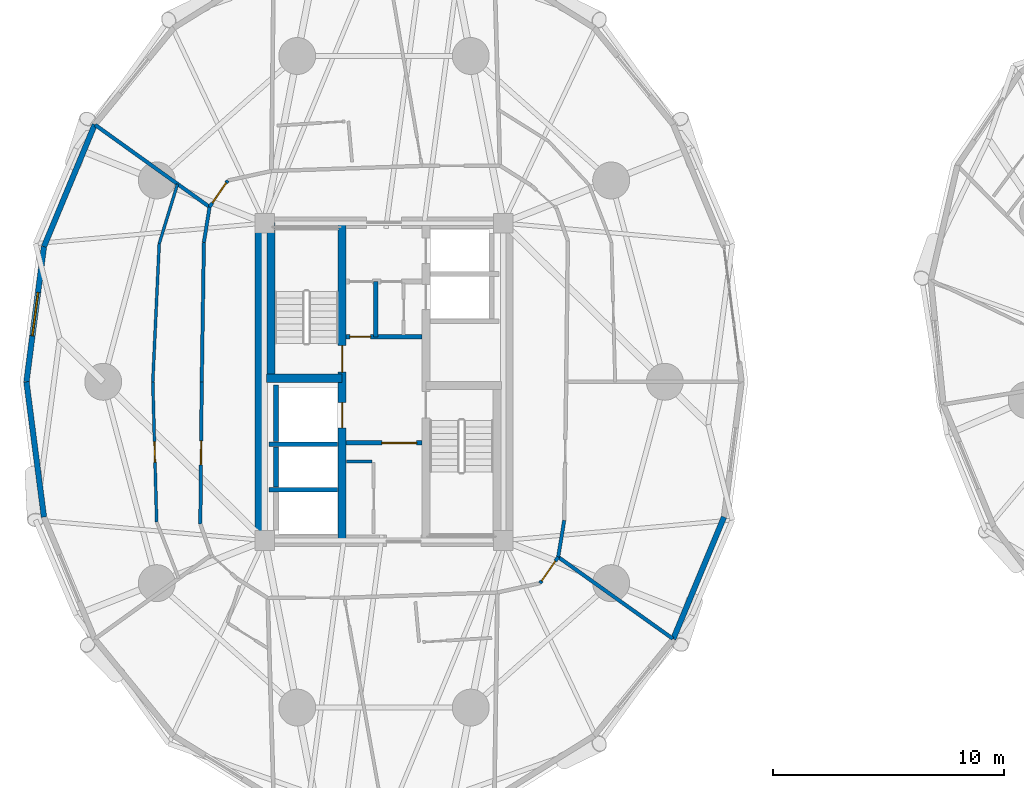
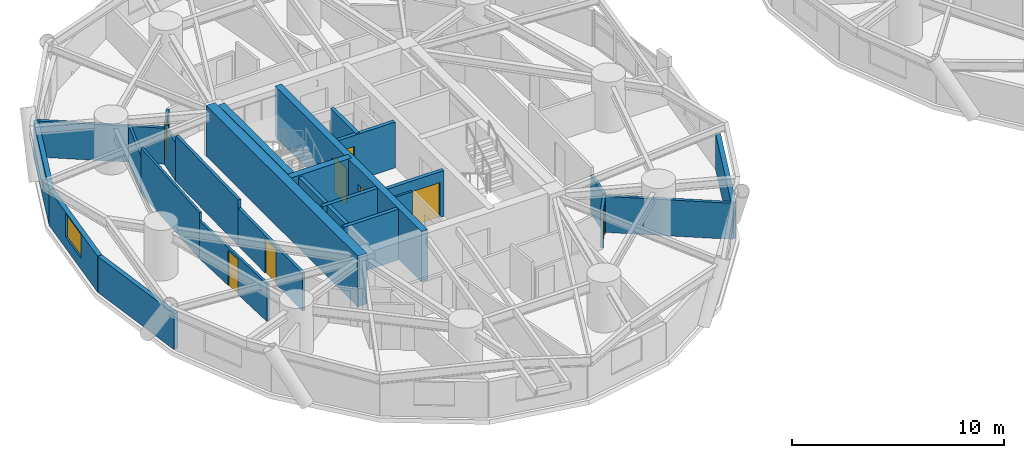
# One storey, part 10 of 18: 27 walls, 8 doors, 1 window, 9 openings.
"""IFC4 building model written with IfcOpenShell, lengths in metres."""

from ifc_helpers import new_model, si_unit, direction, frame, frame_2d, origin, place, context, subcontext, project, spatial, rectangle, extrude, source, transform, mapped, material, layer, layer_set, type_object, element, fill, save


model = new_model("IFC4")

# Units and contexts
model_context = context("Model", 3, precision=1e-05, world=origin(), true_north=direction((0.0, 1.0)))
body_context = subcontext(model_context, "Body", "Model", "MODEL_VIEW")
ifc_project = project(units=[si_unit("LENGTHUNIT", "METRE"), si_unit("AREAUNIT", "SQUARE_METRE"), si_unit("VOLUMEUNIT", "CUBIC_METRE"), si_unit("PLANEANGLEUNIT", "RADIAN"), si_unit("MASSUNIT", "GRAM", prefix="KILO")], contexts=[model_context])

# Site, building, storey
site_placement = place(None, origin())
site = spatial("IfcSite", under=ifc_project, at=site_placement, CompositionType="ELEMENT")
building_placement = place(site_placement, origin())
building = spatial("IfcBuilding", under=site, at=building_placement, Name="Cununo Teusaquillo Station Towers", CompositionType="ELEMENT")
storey_placement = place(building_placement, frame((0.0, 0.0, 45.280029296875)))
storey = spatial("IfcBuildingStorey", under=building, at=storey_placement, Name="L13", CompositionType="ELEMENT", Elevation=45.280029296875)

# Walls
ifc_material_1 = material(Name="Concrete C50/60", Category="concrete")
ifc_layer_1 = layer(ifc_material_1, 0.199951171875)
ifc_layer_set_1 = layer_set([ifc_layer_1], Name="Concrete C50/60")
wall_type_1 = type_object("IfcWallType", Name="WL-CORE-200", PredefinedType="SHEAR", material=ifc_layer_set_1)
wall_1_placement = place(storey_placement, frame((11.52001953125, 21.800048828125, 0.0), z_axis=(0.0, 0.0, 1.0), x_axis=(1.0, 0.0, 0.0)))
element("IfcWall", 1, at=wall_1_placement, inside=storey, type_object=wall_type_1, Name="L13 Tower A Firefighting Lift Shaft South Shear Wall", PredefinedType="SHEAR", context=body_context, shape_type="SweptSolid", body=[
    extrude(rectangle(XDim=2.969970703125, YDim=0.199951171875, at=frame_2d((1.48486328125, 0.0))), origin(), (0.0, 0.0, 1.0), 2.909912109375),
])
wall_2_placement = place(storey_placement, frame((11.820068359375, 21.919921875, 0.0), z_axis=(0.0, 0.0, 1.0), x_axis=(0.0, 1.0, 0.0)))
element("IfcWall", 2, at=wall_2_placement, inside=storey, type_object=wall_type_1, Name="L13 Tower A Firefighting Lift Shaft Rear Shear Wall", PredefinedType="SHEAR", context=body_context, shape_type="SweptSolid", body=[
    extrude(rectangle(XDim=2.440185546875, YDim=0.199951171875, at=frame_2d((1.22021484375, 0.0))), origin(), (0.0, 0.0, 1.0), 2.909912109375),
])
wall_3_placement = place(storey_placement, frame((11.52001953125, 19.824951171875, 0.0), z_axis=(0.0, 0.0, 1.0), x_axis=(1.0, 0.0, 0.0)))
element("IfcWall", 3, at=wall_3_placement, inside=storey, type_object=wall_type_1, Name="L13 Tower A High-Rise Lift Hoistway Divider Shear Wall", PredefinedType="SHEAR", context=body_context, shape_type="SweptSolid", body=[
    extrude(rectangle(XDim=2.969970703125, YDim=0.199951171875, at=frame_2d((1.48486328125, 0.0))), origin(), (0.0, 0.0, 1.0), 2.909912109375),
])
wall_4_placement = place(storey_placement, frame((11.820068359375, 19.945068359375, 0.0), z_axis=(0.0, 0.0, 1.0), x_axis=(0.0, 1.0, 0.0)))
element("IfcWall", 4, at=wall_4_placement, inside=storey, type_object=wall_type_1, Name="L13 Tower A High-Rise Lift 2 Shaft Rear Shear Wall", PredefinedType="SHEAR", context=body_context, shape_type="SweptSolid", body=[
    extrude(rectangle(XDim=1.73486328125, YDim=0.199951171875, at=frame_2d((0.867431640625, 0.0))), origin(), (0.0, 0.0, 1.0), 2.909912109375),
])

# Wall, openings, doors
ifc_material_2 = material(Name="Concrete C50/60", Category="concrete")
ifc_layer_2 = layer(ifc_material_2, 0.35009765625)
ifc_layer_set_2 = layer_set([ifc_layer_2], Name="Concrete C50/60")
wall_type_2 = type_object("IfcWallType", Name="WL-CORE-350", PredefinedType="SHEAR", material=ifc_layer_set_2)
wall_5_placement = place(storey_placement, frame((14.68505859375, 17.60009765625, 0.0), z_axis=(0.0, 0.0, 1.0), x_axis=(0.0, 1.0, 0.0)))
wall_5 = element("IfcWall", 5, at=wall_5_placement, inside=storey, type_object=wall_type_2, Name="L13 Tower A Core Shear Wall IW", PredefinedType="SHEAR", context=body_context, shape_type="SweptSolid", body=[
    extrude(rectangle(XDim=13.7998046875, YDim=0.35009765625, at=frame_2d((6.89990234375, 0.0))), origin(), (0.0, 0.0, 1.0), 2.909912109375),
])
shared_shape_1 = source(origin(), body_context, "Body", "SweptSolid", [
    extrude(rectangle(XDim=1.10009765625, YDim=2.014892578125, at=frame_2d((0.550048828125, 1.00732421875))), frame((0.0, 0.18505859375, 0.0), z_axis=(0.0, -1.0, 0.0), x_axis=(1.0, 0.0, 0.0)), (0.0, 0.0, 1.0), 0.3701171875),
])
opening_1_placement = place(wall_5_placement, frame((4.89990234375, 0.0, 0.0)))
opening_1 = element("IfcOpeningElement", 6, at=opening_1_placement, cuts=wall_5, Name="Opening LD-01", PredefinedType="OPENING", context=body_context, shape_type="MappedRepresentation", body=[
    mapped(shared_shape_1, transform((0.0, 0.0, 0.0), x_axis=(1.0, 0.0, 0.0), y_axis=(0.0, 1.0, 0.0), z_axis=(0.0, 0.0, 1.0), scale=1.0)),
])
shared_shape_2 = source(origin(), body_context, "Body", "SweptSolid", [
    extrude(rectangle(XDim=1.14990234375, YDim=2.02001953125, at=frame_2d((0.574951171875, 1.010009765625))), frame((0.0, 0.18505859375, 0.0), z_axis=(0.0, -1.0, 0.0), x_axis=(1.0, 0.0, 0.0)), (0.0, 0.0, 1.0), 0.3701171875),
])
opening_2_placement = place(wall_5_placement, frame((7.320068359375, 0.0, 0.0)))
opening_2 = element("IfcOpeningElement", 7, at=opening_2_placement, cuts=wall_5, Name="Opening D-ST1", PredefinedType="OPENING", context=body_context, shape_type="MappedRepresentation", body=[
    mapped(shared_shape_2, transform((0.0, 0.0, 0.0), x_axis=(1.0, 0.0, 0.0), y_axis=(0.0, 1.0, 0.0), z_axis=(0.0, 0.0, 1.0), scale=1.0)),
])
ifc_material_3 = material(Name="Galvanised fire-rated hollow steel door assembly", Category="steel")
door_type_1 = type_object("IfcDoorType", Name="DR-LIFT-1100", OperationType="SLIDING_TO_LEFT", PredefinedType="DOOR", material=ifc_material_3)
shared_shape_3 = source(origin(), body_context, "Body", "SweptSolid", [
    extrude(rectangle(XDim=1.10009765625, YDim=2.014892578125, at=frame_2d((0.550048828125, 1.00732421875))), frame((0.0, 0.02490234375, 0.0), z_axis=(0.0, -1.0, 0.0), x_axis=(1.0, 0.0, 0.0)), (0.0, 0.0, 1.0), 0.050048828125),
])
door_1_placement = place(opening_1_placement, origin())
door_1 = element("IfcDoor", 8, at=door_1_placement, inside=storey, type_object=door_type_1, Name="L13 Lift FL-T1 Sliding Landing Door", OperationType="SLIDING_TO_RIGHT", OverallHeight=2.014892578125, OverallWidth=1.10009765625, PredefinedType="DOOR", context=body_context, shape_type="MappedRepresentation", body=[
    mapped(shared_shape_3, transform((0.0, 0.0, 0.0), x_axis=(1.0, 0.0, 0.0), y_axis=(0.0, 1.0, 0.0), z_axis=(0.0, 0.0, 1.0), scale=1.0)),
])
fill(opening_1, door_1)
ifc_material_4 = material(Name="Galvanised fire-rated hollow steel door assembly", Category="steel")
door_type_2 = type_object("IfcDoorType", Name="DR-STAIR-1150", OperationType="NOTDEFINED", PredefinedType="DOOR", material=ifc_material_4)
shared_shape_4 = source(origin(), body_context, "Body", "SweptSolid", [
    extrude(rectangle(XDim=1.14990234375, YDim=2.02001953125, at=frame_2d((0.574951171875, 1.010009765625))), frame((0.0, 0.02490234375, 0.0), z_axis=(0.0, -1.0, 0.0), x_axis=(1.0, 0.0, 0.0)), (0.0, 0.0, 1.0), 0.050048828125),
])
door_2_placement = place(opening_2_placement, origin())
door_2 = element("IfcDoor", 9, at=door_2_placement, inside=storey, type_object=door_type_2, Name="L13 Tower A Exit Stair 1 Fire Door", OperationType="SINGLE_SWING_RIGHT", OverallHeight=2.02001953125, OverallWidth=1.14990234375, PredefinedType="DOOR", context=body_context, shape_type="MappedRepresentation", body=[
    mapped(shared_shape_4, transform((0.0, 0.0, 0.0), x_axis=(1.0, 0.0, 0.0), y_axis=(0.0, 1.0, 0.0), z_axis=(0.0, 0.0, 1.0), scale=1.0)),
])
fill(opening_2, door_2)

# Walls
wall_6_placement = place(storey_placement, frame((11.594970703125, 24.655029296875, 0.0), z_axis=(0.0, 0.0, 1.0), x_axis=(0.0, 1.0, 0.0)))
element("IfcWall", 10, at=wall_6_placement, inside=storey, type_object=wall_type_2, Name="L13 Tower A Core Shear Wall ST1W", PredefinedType="SHEAR", context=body_context, shape_type="SweptSolid", body=[
    extrude(rectangle(XDim=6.744873046875, YDim=0.35009765625, at=frame_2d((3.37255859375, 0.0))), origin(), (0.0, 0.0, 1.0), 2.909912109375),
])
wall_7_placement = place(storey_placement, frame((11.39990234375, 24.655029296875, 0.0), z_axis=(0.0, 0.0, 1.0), x_axis=(1.0, 0.0, 0.0)))
element("IfcWall", 11, at=wall_7_placement, inside=storey, type_object=wall_type_2, Name="L13 Tower A Core Shear Wall ST1S", PredefinedType="SHEAR", context=body_context, shape_type="SweptSolid", body=[
    extrude(rectangle(XDim=3.28515625, YDim=0.35009765625, at=frame_2d((1.642578125, 0.0))), origin(), (0.0, 0.0, 1.0), 2.909912109375),
])
ifc_material_5 = material(Name="Concrete C60/75", Category="concrete")
ifc_layer_3 = layer(ifc_material_5, 0.5)
ifc_layer_set_3 = layer_set([ifc_layer_3], Name="Concrete C60/75")
wall_type_3 = type_object("IfcWallType", Name="WL-CORE-500", PredefinedType="SHEAR", material=ifc_layer_set_3)
wall_8_placement = place(storey_placement, frame((11.14990234375, 17.35009765625, 0.0), z_axis=(0.0, 0.0, 1.0), x_axis=(0.0, 1.0, 0.0)))
element("IfcWall", 12, at=wall_8_placement, inside=storey, type_object=wall_type_3, Name="L13 Tower A Core Shear Wall W", PredefinedType="SHEAR", context=body_context, shape_type="SweptSolid", body=[
    extrude(rectangle(XDim=14.2998046875, YDim=0.5, at=frame_2d((7.14990234375, 0.0))), origin(), (0.0, 0.0, 1.0), 2.909912109375),
])
ifc_material_6 = material(Name="Precast concrete C40/50", Category="concrete")
ifc_layer_4 = layer(ifc_material_6, 0.239990234375)
ifc_layer_set_4 = layer_set([ifc_layer_4], Name="Precast concrete C40/50")
wall_type_4 = type_object("IfcWallType", Name="WL-EXT-240", PredefinedType="SOLIDWALL", material=ifc_layer_set_4)
wall_9_placement = place(storey_placement, frame((1.759521484375, 30.362060546875, 0.0), z_axis=(0.0, 0.0, 1.0), x_axis=(0.38430970593, 0.923204229804, 0.0)))
element("IfcWall", 13, at=wall_9_placement, inside=storey, type_object=wall_type_4, Name="L13 Tower A Exterior Facade Wall C08", PredefinedType="SOLIDWALL", context=body_context, shape_type="SweptSolid", body=[
    extrude(rectangle(XDim=5.728271484375, YDim=0.239990234375, at=frame_2d((2.8642578125, 0.0))), origin(), (0.0, 0.0, 1.0), 2.072998046875),
])

# Wall, opening, window
wall_10_placement = place(storey_placement, frame((1.0009765625, 24.5, 0.0), z_axis=(0.0, 0.0, 1.0), x_axis=(0.128329107357, 0.991731637191, 0.0)))
wall_10 = element("IfcWall", 14, at=wall_10_placement, inside=storey, type_object=wall_type_4, Name="L13 Tower A Exterior Facade Wall C09", PredefinedType="SOLIDWALL", context=body_context, shape_type="SweptSolid", body=[
    extrude(rectangle(XDim=5.910888671875, YDim=0.239990234375, at=frame_2d((2.95556640625, 0.0))), origin(), (0.0, 0.0, 1.0), 2.072998046875),
])
shared_shape_5 = source(origin(), body_context, "Body", "SweptSolid", [
    extrude(rectangle(XDim=1.89990234375, YDim=1.35009765625, at=frame_2d((0.949951171875, 0.675048828125))), frame((0.0, 0.1298828125, 0.0), z_axis=(0.0, -1.0, 0.0), x_axis=(1.0, 0.0, 0.0)), (0.0, 0.0, 1.0), 0.260009765625),
])
opening_3_placement = place(wall_10_placement, frame((2.0048828125, 0.0, 0.64990234375)))
opening_3 = element("IfcOpeningElement", 15, at=opening_3_placement, cuts=wall_10, Name="Opening WN-02", PredefinedType="OPENING", context=body_context, shape_type="MappedRepresentation", body=[
    mapped(shared_shape_5, transform((0.0, 0.0, 0.0), x_axis=(1.0, 0.0, 0.0), y_axis=(0.0, 1.0, 0.0), z_axis=(0.0, 0.0, 1.0), scale=1.0)),
])
ifc_material_7 = material(Name="Operable acoustic tinted low-E double glazing", Category="glass")
window_type = type_object("IfcWindowType", Name="WIN-OPER-1900", PartitioningType="DOUBLE_PANEL_VERTICAL", PredefinedType="WINDOW", material=ifc_material_7)
shared_shape_6 = source(origin(), body_context, "Body", "SweptSolid", [
    extrude(rectangle(XDim=1.89990234375, YDim=1.35009765625, at=frame_2d((0.949951171875, 0.675048828125))), frame((0.0, 0.030029296875, 0.0), z_axis=(0.0, -1.0, 0.0), x_axis=(1.0, 0.0, 0.0)), (0.0, 0.0, 1.0), 0.06005859375),
])
window_placement = place(opening_3_placement, origin())
window = element("IfcWindow", 16, at=window_placement, inside=storey, type_object=window_type, Name="L13 Tower A Facade Window C09", OverallHeight=1.35009765625, OverallWidth=1.89990234375, PartitioningType="DOUBLE_PANEL_VERTICAL", PredefinedType="WINDOW", context=body_context, shape_type="MappedRepresentation", body=[
    mapped(shared_shape_6, transform((0.0, 0.0, 0.0), x_axis=(1.0, 0.0, 0.0), y_axis=(0.0, 1.0, 0.0), z_axis=(0.0, 0.0, 1.0), scale=1.0)),
])
fill(opening_3, window)

# Walls
wall_11_placement = place(storey_placement, frame((1.759521484375, 18.637939453125, 0.0), z_axis=(0.0, 0.0, 1.0), x_axis=(-0.128329107357, 0.991731637191, 0.0)))
element("IfcWall", 17, at=wall_11_placement, inside=storey, type_object=wall_type_4, Name="L13 Tower A Exterior Facade Wall C10", PredefinedType="SOLIDWALL", context=body_context, shape_type="SweptSolid", body=[
    extrude(rectangle(XDim=5.910888671875, YDim=0.239990234375, at=frame_2d((2.95556640625, 0.0))), origin(), (0.0, 0.0, 1.0), 2.072998046875),
])
wall_12_placement = place(storey_placement, frame((31.240478515625, 18.637939453125, 0.0), z_axis=(0.0, 0.0, 1.0), x_axis=(-0.38430970593, -0.923204229804, 0.0)))
element("IfcWall", 18, at=wall_12_placement, inside=storey, type_object=wall_type_4, Name="L13 Tower A Exterior Facade Wall C18", PredefinedType="SOLIDWALL", context=body_context, shape_type="SweptSolid", body=[
    extrude(rectangle(XDim=5.728271484375, YDim=0.239990234375, at=frame_2d((2.8642578125, 0.0))), origin(), (0.0, 0.0, 1.0), 2.072998046875),
])
ifc_material_8 = material(Name="Fire-rated gypsum plasterboard partition assembly", Category="gypsum")
ifc_layer_5 = layer(ifc_material_8, 0.125)
ifc_layer_set_5 = layer_set([ifc_layer_5], Name="Fire-rated gypsum plasterboard partition assembly")
wall_type_5 = type_object("IfcWallType", Name="WL-PART-125", PredefinedType="PARTITIONING", material=ifc_layer_set_5)
wall_13_placement = place(storey_placement, frame((14.8798828125, 21.050048828125, 0.0), z_axis=(0.0, 0.0, 1.0), x_axis=(1.0, 0.0, 0.0)))
element("IfcWall", 19, at=wall_13_placement, inside=storey, type_object=wall_type_5, Name="L13 Tower A South-West Tall Store North Wall", PredefinedType="PARTITIONING", context=body_context, shape_type="SweptSolid", body=[
    extrude(rectangle(XDim=1.10009765625, YDim=0.125, at=frame_2d((0.550048828125, 0.0))), origin(), (0.0, 0.0, 1.0), 2.635009765625),
])
wall_14_placement = place(storey_placement, frame((7.55029296875, 33.0751953125, 0.0), z_axis=(0.0, 0.0, 1.0), x_axis=(-0.29356532185, -0.955939015736, 0.0)))
element("IfcWall", 20, at=wall_14_placement, inside=storey, type_object=wall_type_5, Name="L13 Tower A Hotel Hydrotherapy Wellness Spa Concentric Partition Wall C08", PredefinedType="PARTITIONING", context=body_context, shape_type="SweptSolid", body=[
    extrude(rectangle(XDim=2.702880859375, YDim=0.125, at=frame_2d((1.3515625, 0.0))), origin(), (0.0, 0.0, 1.0), 2.158935546875),
])
wall_15_placement = place(storey_placement, frame((6.7568359375, 30.491455078125, 0.0), z_axis=(0.0, 0.0, 1.0), x_axis=(-0.046524684881, -0.998917140556, 0.0)))
element("IfcWall", 21, at=wall_15_placement, inside=storey, type_object=wall_type_5, Name="L13 Tower A Hotel Hydrotherapy Wellness Spa Concentric Partition Wall C09", PredefinedType="PARTITIONING", context=body_context, shape_type="SweptSolid", body=[
    extrude(rectangle(XDim=5.998046875, YDim=0.125, at=frame_2d((2.9990234375, 0.0))), origin(), (0.0, 0.0, 1.0), 2.635009765625),
])

# Wall, opening, door
wall_16_placement = place(storey_placement, frame((6.477783203125, 24.5, 0.0), z_axis=(0.0, 0.0, 1.0), x_axis=(0.027593153947, -0.999619236437, 0.0)))
wall_16 = element("IfcWall", 22, at=wall_16_placement, inside=storey, type_object=wall_type_5, Name="L13 Tower A Hotel Hydrotherapy Wellness Spa Concentric Partition Wall C10", PredefinedType="PARTITIONING", context=body_context, shape_type="SweptSolid", body=[
    extrude(rectangle(XDim=6.078369140625, YDim=0.125, at=frame_2d((3.0390625, 0.0))), origin(), (0.0, 0.0, 1.0), 2.158935546875),
])
shared_shape_7 = source(origin(), body_context, "Body", "SweptSolid", [
    extrude(rectangle(XDim=0.89990234375, YDim=2.0048828125, at=frame_2d((0.449951171875, 1.00244140625))), frame((0.0, 0.072509765625, 0.0), z_axis=(0.0, -1.0, 0.0), x_axis=(1.0, 0.0, 0.0)), (0.0, 0.0, 1.0), 0.14501953125),
])
opening_4_placement = place(wall_16_placement, frame((2.58935546875, 0.0, 0.0)))
opening_4 = element("IfcOpeningElement", 23, at=opening_4_placement, cuts=wall_16, Name="Opening D-IN1", PredefinedType="OPENING", context=body_context, shape_type="MappedRepresentation", body=[
    mapped(shared_shape_7, transform((0.0, 0.0, 0.0), x_axis=(1.0, 0.0, 0.0), y_axis=(0.0, 1.0, 0.0), z_axis=(0.0, 0.0, 1.0), scale=1.0)),
])
ifc_material_9 = material(Name="Acoustic solid-core hardwood leaf assembly", Category="wood")
door_type_3 = type_object("IfcDoorType", Name="DR-INT-900", OperationType="NOTDEFINED", PredefinedType="DOOR", material=ifc_material_9)
shared_shape_8 = source(origin(), body_context, "Body", "SweptSolid", [
    extrude(rectangle(XDim=0.89990234375, YDim=2.0048828125, at=frame_2d((0.449951171875, 1.00244140625))), frame((0.0, 0.02490234375, 0.0), z_axis=(0.0, -1.0, 0.0), x_axis=(1.0, 0.0, 0.0)), (0.0, 0.0, 1.0), 0.050048828125),
])
door_3_placement = place(opening_4_placement, origin())
door_3 = element("IfcDoor", 24, at=door_3_placement, inside=storey, type_object=door_type_3, Name="L13 Tower A Hotel Hydrotherapy Wellness Spa Connecting Door", OperationType="SINGLE_SWING_RIGHT", OverallHeight=2.0048828125, OverallWidth=0.89990234375, PredefinedType="DOOR", context=body_context, shape_type="MappedRepresentation", body=[
    mapped(shared_shape_8, transform((0.0, 0.0, 0.0), x_axis=(1.0, 0.0, 0.0), y_axis=(0.0, 1.0, 0.0), z_axis=(0.0, 0.0, 1.0), scale=1.0)),
])
fill(opening_4, door_3)

ifc_material_10 = material(Name="Fire-rated gypsum plasterboard partition assembly", Category="gypsum")
ifc_layer_6 = layer(ifc_material_10, 0.14990234375)
ifc_layer_set_6 = layer_set([ifc_layer_6], Name="Fire-rated gypsum plasterboard partition assembly")
wall_type_6 = type_object("IfcWallType", Name="WL-PART-150", PredefinedType="PARTITIONING", material=ifc_layer_set_6)
wall_17_placement = place(storey_placement, frame((9.7294921875, 33.224853515625, 0.0), z_axis=(0.0, 0.0, 1.0), x_axis=(-0.567183649484, -0.82359134755, 0.0)))
wall_17 = element("IfcWall", 25, at=wall_17_placement, inside=storey, type_object=wall_type_6, Name="L13 Tower A Corridor Ring Wall C07", PredefinedType="PARTITIONING", context=body_context, shape_type="SweptSolid", body=[
    extrude(rectangle(XDim=1.39208984375, YDim=0.14990234375, at=frame_2d((0.696044921875, 0.0))), origin(), (0.0, 0.0, 1.0), 2.158935546875),
])
shared_shape_9 = source(origin(), body_context, "Body", "SweptSolid", [
    extrude(rectangle(XDim=1.050048828125, YDim=2.014892578125, at=frame_2d((0.52490234375, 1.00732421875))), frame((0.0, 0.0849609375, 0.0), z_axis=(0.0, -1.0, 0.0), x_axis=(1.0, 0.0, 0.0)), (0.0, 0.0, 1.0), 0.169921875),
])
opening_5_placement = place(wall_17_placement, frame((0.1201171875, 0.0, 0.0)))
opening_5 = element("IfcOpeningElement", 26, at=opening_5_placement, cuts=wall_17, Name="Opening D-SU1", PredefinedType="OPENING", context=body_context, shape_type="MappedRepresentation", body=[
    mapped(shared_shape_9, transform((0.0, 0.0, 0.0), x_axis=(1.0, 0.0, 0.0), y_axis=(0.0, 1.0, 0.0), z_axis=(0.0, 0.0, 1.0), scale=1.0)),
])
ifc_material_11 = material(Name="Acoustic solid-core hardwood leaf assembly", Category="wood")
door_type_4 = type_object("IfcDoorType", Name="DR-SUITE-1050", OperationType="NOTDEFINED", PredefinedType="DOOR", material=ifc_material_11)
shared_shape_10 = source(origin(), body_context, "Body", "SweptSolid", [
    extrude(rectangle(XDim=1.050048828125, YDim=2.014892578125, at=frame_2d((0.52490234375, 1.00732421875))), frame((0.0, 0.02490234375, 0.0), z_axis=(0.0, -1.0, 0.0), x_axis=(1.0, 0.0, 0.0)), (0.0, 0.0, 1.0), 0.050048828125),
])
door_4_placement = place(opening_5_placement, origin())
door_4 = element("IfcDoor", 27, at=door_4_placement, inside=storey, type_object=door_type_4, Name="L13 Tower A Hotel Boardroom Salon Entrance Door", OperationType="SINGLE_SWING_RIGHT", OverallHeight=2.014892578125, OverallWidth=1.050048828125, PredefinedType="DOOR", context=body_context, shape_type="MappedRepresentation", body=[
    mapped(shared_shape_10, transform((0.0, 0.0, 0.0), x_axis=(1.0, 0.0, 0.0), y_axis=(0.0, 1.0, 0.0), z_axis=(0.0, 0.0, 1.0), scale=1.0)),
])
fill(opening_5, door_4)

# Walls
wall_18_placement = place(storey_placement, frame((8.93994140625, 32.078369140625, 0.0), z_axis=(0.0, 0.0, 1.0), x_axis=(-0.159148467753, -0.98725466077, 0.0)))
element("IfcWall", 28, at=wall_18_placement, inside=storey, type_object=wall_type_6, Name="L13 Tower A Corridor Ring Wall C08", PredefinedType="PARTITIONING", context=body_context, shape_type="SweptSolid", body=[
    extrude(rectangle(XDim=1.553955078125, YDim=0.14990234375, at=frame_2d((0.77685546875, 0.0))), origin(), (0.0, 0.0, 1.0), 2.205078125),
])
wall_19_placement = place(storey_placement, frame((8.692626953125, 30.544189453125, 0.0), z_axis=(0.0, 0.0, 1.0), x_axis=(-0.015307007986, -0.99988284089, 0.0)))
element("IfcWall", 29, at=wall_19_placement, inside=storey, type_object=wall_type_6, Name="L13 Tower A Corridor Ring Wall C09", PredefinedType="PARTITIONING", context=body_context, shape_type="SweptSolid", body=[
    extrude(rectangle(XDim=6.044921875, YDim=0.14990234375, at=frame_2d((3.0224609375, 0.0))), origin(), (0.0, 0.0, 1.0), 2.635009765625),
])

# Wall, opening, door
wall_20_placement = place(storey_placement, frame((8.60009765625, 24.5, 0.0), z_axis=(0.0, 0.0, 1.0), x_axis=(-0.010023665349, -0.999949761805, 0.0)))
wall_20 = element("IfcWall", 30, at=wall_20_placement, inside=storey, type_object=wall_type_6, Name="L13 Tower A Corridor Ring Wall C10", PredefinedType="PARTITIONING", context=body_context, shape_type="SweptSolid", body=[
    extrude(rectangle(XDim=6.162109375, YDim=0.14990234375, at=frame_2d((3.0810546875, 0.0))), origin(), (0.0, 0.0, 1.0), 2.158935546875),
])
opening_6_placement = place(wall_20_placement, frame((2.55615234375, 0.0, 0.0)))
opening_6 = element("IfcOpeningElement", 31, at=opening_6_placement, cuts=wall_20, Name="Opening D-SU1", PredefinedType="OPENING", context=body_context, shape_type="MappedRepresentation", body=[
    mapped(shared_shape_9, transform((0.0, 0.0, 0.0), x_axis=(1.0, 0.0, 0.0), y_axis=(0.0, 1.0, 0.0), z_axis=(0.0, 0.0, 1.0), scale=1.0)),
])
door_5_placement = place(opening_6_placement, origin())
door_5 = element("IfcDoor", 32, at=door_5_placement, inside=storey, type_object=door_type_4, Name="L13 Tower A Hotel Hydrotherapy Wellness Spa Entrance Door", OperationType="SINGLE_SWING_LEFT", OverallHeight=2.014892578125, OverallWidth=1.050048828125, PredefinedType="DOOR", context=body_context, shape_type="MappedRepresentation", body=[
    mapped(shared_shape_10, transform((0.0, 0.0, 0.0), x_axis=(1.0, 0.0, 0.0), y_axis=(0.0, 1.0, 0.0), z_axis=(0.0, 0.0, 1.0), scale=1.0)),
])
fill(opening_6, door_5)

wall_21_placement = place(storey_placement, frame((23.263427734375, 15.77001953125, 0.0), z_axis=(0.0, 0.0, 1.0), x_axis=(0.570743456919, 0.821128434768, 0.0)))
wall_21 = element("IfcWall", 33, at=wall_21_placement, inside=storey, type_object=wall_type_6, Name="L13 Tower A Corridor Ring Wall C17", PredefinedType="PARTITIONING", context=body_context, shape_type="SweptSolid", body=[
    extrude(rectangle(XDim=1.381591796875, YDim=0.14990234375, at=frame_2d((0.69091796875, 0.0))), origin(), (0.0, 0.0, 1.0), 2.158935546875),
])
opening_7_placement = place(wall_21_placement, frame((0.1201171875, 0.0, 0.0)))
opening_7 = element("IfcOpeningElement", 34, at=opening_7_placement, cuts=wall_21, Name="Opening D-SU1", PredefinedType="OPENING", context=body_context, shape_type="MappedRepresentation", body=[
    mapped(shared_shape_9, transform((0.0, 0.0, 0.0), x_axis=(1.0, 0.0, 0.0), y_axis=(0.0, 1.0, 0.0), z_axis=(0.0, 0.0, 1.0), scale=1.0)),
])
door_6_placement = place(opening_7_placement, origin())
door_6 = element("IfcDoor", 35, at=door_6_placement, inside=storey, type_object=door_type_4, Name="L13 Tower A Hotel Housekeeping & Linen Pantry Entrance Door", OperationType="SINGLE_SWING_RIGHT", OverallHeight=2.014892578125, OverallWidth=1.050048828125, PredefinedType="DOOR", context=body_context, shape_type="MappedRepresentation", body=[
    mapped(shared_shape_10, transform((0.0, 0.0, 0.0), x_axis=(1.0, 0.0, 0.0), y_axis=(0.0, 1.0, 0.0), z_axis=(0.0, 0.0, 1.0), scale=1.0)),
])
fill(opening_7, door_6)

# Walls
wall_22_placement = place(storey_placement, frame((24.052001953125, 16.904541015625, 0.0), z_axis=(0.0, 0.0, 1.0), x_axis=(0.162091534225, 0.986775726562, 0.0)))
element("IfcWall", 36, at=wall_22_placement, inside=storey, type_object=wall_type_6, Name="L13 Tower A Corridor Ring Wall C18", PredefinedType="PARTITIONING", context=body_context, shape_type="SweptSolid", body=[
    extrude(rectangle(XDim=1.613037109375, YDim=0.14990234375, at=frame_2d((0.806640625, 0.0))), origin(), (0.0, 0.0, 1.0), 2.205078125),
])
ifc_material_12 = material(Name="Fire-rated gypsum plasterboard partition assembly", Category="gypsum")
ifc_layer_7 = layer(ifc_material_12, 0.159912109375)
ifc_layer_set_7 = layer_set([ifc_layer_7], Name="Fire-rated gypsum plasterboard partition assembly")
wall_type_7 = type_object("IfcWallType", Name="WL-PART-160", PredefinedType="PARTITIONING", material=ifc_layer_set_7)
wall_23_placement = place(storey_placement, frame((8.93994140625, 32.078369140625, 0.0), z_axis=(0.0, 0.0, 1.0), x_axis=(-0.812546070691, 0.582896974606, 0.0)))
element("IfcWall", 37, at=wall_23_placement, inside=storey, type_object=wall_type_7, Name="L13 Tower A Radial Suite Partition R04", PredefinedType="PARTITIONING", context=body_context, shape_type="SweptSolid", body=[
    extrude(rectangle(XDim=6.107421875, YDim=0.159912109375, at=frame_2d((3.0537109375, 0.0))), origin(), (0.0, 0.0, 1.0), 2.072998046875),
])
wall_24_placement = place(storey_placement, frame((24.052001953125, 16.904541015625, 0.0), z_axis=(0.0, 0.0, 1.0), x_axis=(0.814316784985, -0.580420686822, 0.0)))
element("IfcWall", 38, at=wall_24_placement, inside=storey, type_object=wall_type_7, Name="L13 Tower A Radial Suite Partition R08", PredefinedType="PARTITIONING", context=body_context, shape_type="SweptSolid", body=[
    extrude(rectangle(XDim=6.104248046875, YDim=0.159912109375, at=frame_2d((3.05224609375, 0.0))), origin(), (0.0, 0.0, 1.0), 2.072998046875),
])

# Wall, opening, door
ifc_material_13 = material(Name="Fire-rated gypsum plasterboard partition assembly", Category="gypsum")
ifc_layer_8 = layer(ifc_material_13, 0.199951171875)
ifc_layer_set_8 = layer_set([ifc_layer_8], Name="Fire-rated gypsum plasterboard partition assembly")
wall_type_8 = type_object("IfcWallType", Name="WL-PART-200", PredefinedType="PARTITIONING", material=ifc_layer_set_8)
wall_25_placement = place(storey_placement, frame((14.860107421875, 21.85009765625, 0.0), z_axis=(0.0, 0.0, 1.0), x_axis=(1.0, 0.0, 0.0)))
wall_25 = element("IfcWall", 39, at=wall_25_placement, inside=storey, type_object=wall_type_8, Name="L13 Tower A Firefighting Lift Lobby South Fire Wall", PredefinedType="PARTITIONING", context=body_context, shape_type="SweptSolid", body=[
    extrude(rectangle(XDim=3.27978515625, YDim=0.199951171875, at=frame_2d((1.639892578125, 0.0))), origin(), (0.0, 0.0, 1.0), 2.635009765625),
])
shared_shape_11 = source(origin(), body_context, "Body", "SweptSolid", [
    extrude(rectangle(XDim=1.5, YDim=2.02001953125, at=frame_2d((0.75, 1.010009765625))), frame((0.0, 0.10986328125, 0.0), z_axis=(0.0, -1.0, 0.0), x_axis=(1.0, 0.0, 0.0)), (0.0, 0.0, 1.0), 0.219970703125),
])
opening_8_placement = place(wall_25_placement, frame((1.550048828125, 0.0, 0.0)))
opening_8 = element("IfcOpeningElement", 40, at=opening_8_placement, cuts=wall_25, Name="Opening D-LB1", PredefinedType="OPENING", context=body_context, shape_type="MappedRepresentation", body=[
    mapped(shared_shape_11, transform((0.0, 0.0, 0.0), x_axis=(1.0, 0.0, 0.0), y_axis=(0.0, 1.0, 0.0), z_axis=(0.0, 0.0, 1.0), scale=1.0)),
])
ifc_material_14 = material(Name="Galvanised fire-rated hollow steel door assembly", Category="steel")
door_type_5 = type_object("IfcDoorType", Name="DR-LOBBY-1500", OperationType="DOUBLE_DOOR_SINGLE_SWING", PredefinedType="DOOR", material=ifc_material_14)
shared_shape_12 = source(origin(), body_context, "Body", "SweptSolid", [
    extrude(rectangle(XDim=1.5, YDim=2.02001953125, at=frame_2d((0.75, 1.010009765625))), frame((0.0, 0.02490234375, 0.0), z_axis=(0.0, -1.0, 0.0), x_axis=(1.0, 0.0, 0.0)), (0.0, 0.0, 1.0), 0.050048828125),
])
door_7_placement = place(opening_8_placement, origin())
door_7 = element("IfcDoor", 41, at=door_7_placement, inside=storey, type_object=door_type_5, Name="L13 Tower A Firefighting Lift Lobby South Fire Door", OperationType="DOUBLE_DOOR_SINGLE_SWING", OverallHeight=2.02001953125, OverallWidth=1.5, PredefinedType="DOOR", context=body_context, shape_type="MappedRepresentation", body=[
    mapped(shared_shape_12, transform((0.0, 0.0, 0.0), x_axis=(1.0, 0.0, 0.0), y_axis=(0.0, 1.0, 0.0), z_axis=(0.0, 0.0, 1.0), scale=1.0)),
])
fill(opening_8, door_7)

wall_26_placement = place(storey_placement, frame((14.860107421875, 26.449951171875, 0.0), z_axis=(0.0, 0.0, 1.0), x_axis=(1.0, 0.0, 0.0)))
wall_26 = element("IfcWall", 42, at=wall_26_placement, inside=storey, type_object=wall_type_8, Name="L13 Tower A Firefighting Lift Lobby North Fire Wall", PredefinedType="PARTITIONING", context=body_context, shape_type="SweptSolid", body=[
    extrude(rectangle(XDim=3.27978515625, YDim=0.199951171875, at=frame_2d((1.639892578125, 0.0))), origin(), (0.0, 0.0, 1.0), 2.635009765625),
])
shared_shape_13 = source(origin(), body_context, "Body", "SweptSolid", [
    extrude(rectangle(XDim=0.89990234375, YDim=2.0048828125, at=frame_2d((0.449951171875, 1.00244140625))), frame((0.0, 0.10986328125, 0.0), z_axis=(0.0, -1.0, 0.0), x_axis=(1.0, 0.0, 0.0)), (0.0, 0.0, 1.0), 0.219970703125),
])
opening_9_placement = place(wall_26_placement, frame((0.159912109375, 0.0, 0.0)))
opening_9 = element("IfcOpeningElement", 43, at=opening_9_placement, cuts=wall_26, Name="Opening D-SR1", PredefinedType="OPENING", context=body_context, shape_type="MappedRepresentation", body=[
    mapped(shared_shape_13, transform((0.0, 0.0, 0.0), x_axis=(1.0, 0.0, 0.0), y_axis=(0.0, 1.0, 0.0), z_axis=(0.0, 0.0, 1.0), scale=1.0)),
])
ifc_material_15 = material(Name="Galvanised fire-rated hollow steel door assembly", Category="steel")
door_type_6 = type_object("IfcDoorType", Name="DR-STORE-900", OperationType="NOTDEFINED", PredefinedType="DOOR", material=ifc_material_15)
door_8_placement = place(opening_9_placement, origin())
door_8 = element("IfcDoor", 44, at=door_8_placement, inside=storey, type_object=door_type_6, Name="L13 Tower A Stair 1 Protected Vestibule South Door", OperationType="SINGLE_SWING_RIGHT", OverallHeight=2.0048828125, OverallWidth=0.89990234375, PredefinedType="DOOR", context=body_context, shape_type="MappedRepresentation", body=[
    mapped(shared_shape_8, transform((0.0, 0.0, 0.0), x_axis=(1.0, 0.0, 0.0), y_axis=(0.0, 1.0, 0.0), z_axis=(0.0, 0.0, 1.0), scale=1.0)),
])
fill(opening_9, door_8)

# Wall
wall_27_placement = place(storey_placement, frame((16.14990234375, 26.449951171875, 0.0), z_axis=(0.0, 0.0, 1.0), x_axis=(0.0, 1.0, 0.0)))
element("IfcWall", 45, at=wall_27_placement, inside=storey, type_object=wall_type_8, Name="L13 Tower A Stair 1 Vestibule Partition Wall", PredefinedType="PARTITIONING", context=body_context, shape_type="SweptSolid", body=[
    extrude(rectangle(XDim=2.400146484375, YDim=0.199951171875, at=frame_2d((1.2001953125, 0.0))), origin(), (0.0, 0.0, 1.0), 2.635009765625),
])

save(model, "model.ifc")
